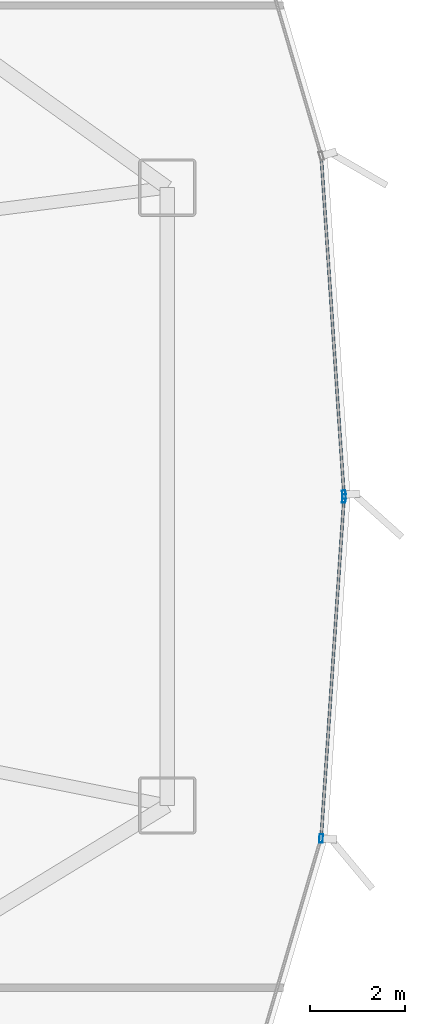
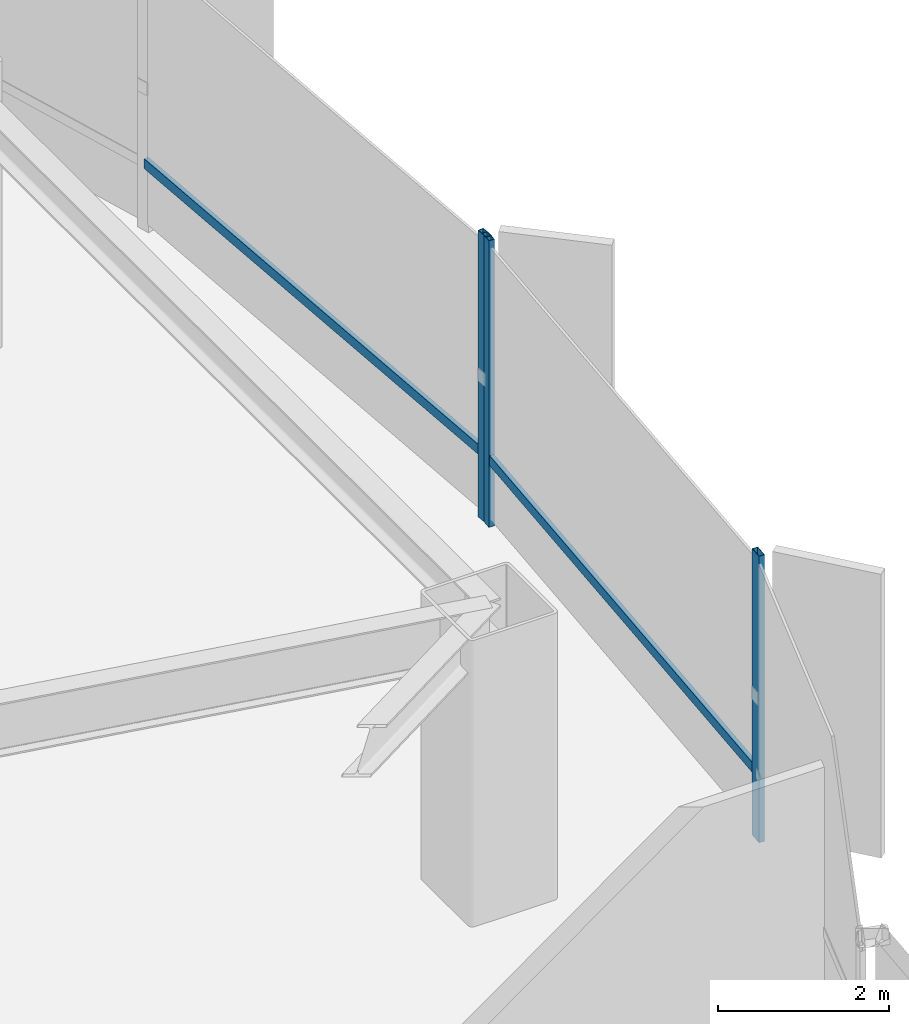
# One storey, part 19 of 34: 5 members, 2 elements without a shape of their own.
"""IFC4 building model written with IfcOpenShell, lengths in metres."""

from ifc_helpers import new_model, si_unit, direction, frame, origin, origin_2d, place, context, subcontext, project, spatial, hollow_rectangle, extrude, source, transform, mapped, material, layer, layer_set, material_profile, profile_set, type_object, element, aggregate, save


model = new_model("IFC4")

# Units and contexts
model_context = context("Model", 3, precision=1e-05, world=origin(), true_north=direction((0.0, 1.0)))
body_context = subcontext(model_context, "Body", "Model", "MODEL_VIEW")
ifc_project = project(units=[si_unit("LENGTHUNIT", "METRE"), si_unit("AREAUNIT", "SQUARE_METRE"), si_unit("VOLUMEUNIT", "CUBIC_METRE"), si_unit("PLANEANGLEUNIT", "RADIAN"), si_unit("MASSUNIT", "GRAM", prefix="KILO"), si_unit("THERMODYNAMICTEMPERATUREUNIT", "KELVIN")], contexts=[model_context])

# Site, building, storey
site_placement = place(None, origin())
site = spatial("IfcSite", under=ifc_project, at=site_placement, CompositionType="ELEMENT")
building_placement = place(site_placement, origin())
building = spatial("IfcBuilding", under=site, at=building_placement, Name="Kethvar Cultural Tower", CompositionType="ELEMENT")
storey_placement = place(building_placement, frame((0.0, 0.0, 19.60009765625)))
storey = spatial("IfcBuildingStorey", under=building, at=storey_placement, Name="L04", CompositionType="ELEMENT", Elevation=19.60009765625)

# Curtain wall, member
ifc_material = material(Name="Aluminium 6063-T6", Category="aluminium")
ifc_layer = layer(ifc_material, 0.179931640625, Name="Aluminium 6063-T6", Category="aluminium")
ifc_layer_set = layer_set([ifc_layer], Name="Aluminium 6063-T6 (180 mm)")
curtain_wall_type = type_object("IfcCurtainWallType", Name="CW-SYS-01-POD", PredefinedType="NOTDEFINED", material=ifc_layer_set)
curtain_wall_1_placement = place(storey_placement, origin())
curtain_wall_1 = element("IfcCurtainWall", 1, at=curtain_wall_1_placement, inside=storey, type_object=curtain_wall_type, Name="L04 Curtain Wall Run 01", PredefinedType="NOTDEFINED")
ifc_material_profile_1 = material_profile(ifc_material, hollow_rectangle(XDim=0.06005859375, YDim=0.139892578125, WallThickness=0.0048828125, at=origin_2d()), Name="Aluminium 6063-T6 — RHS140x60x5")
ifc_profile_set_1 = profile_set([ifc_material_profile_1], Name="Aluminium 6063-T6 — RHS140x60x5")
member_type_1 = type_object("IfcMemberType", Name="CW-SYS-01-POD-TRN", PredefinedType="USERDEFINED", material=ifc_profile_set_1)
shared_shape_1 = source(origin(), body_context, "Body", "SweptSolid", [
    extrude(hollow_rectangle(XDim=0.06005859375, YDim=0.139892578125, WallThickness=0.0048828125, at=origin_2d()), origin(), (0.0, 0.0, 1.0), 7.086669921875),
])
member_1_placement = place(storey_placement, frame((83.066650390625, 27.84521484375, 0.949951171875), z_axis=(-0.067040329347, 0.99775026647, 0.0), x_axis=(-0.99775026647, -0.067040329347, 0.0)))
member_1 = element("IfcMember", 2, at=member_1_placement, type_object=member_type_1, Name="CW-L04-R01 Transom 1", ObjectType="TRANSOM", PredefinedType="USERDEFINED", context=body_context, shape_type="MappedRepresentation", body=[
    mapped(shared_shape_1, transform((0.0, 0.0, 0.0), scale=1.0)),
])

curtain_wall_2_placement = place(storey_placement, origin())
curtain_wall_2 = element("IfcCurtainWall", 3, at=curtain_wall_2_placement, inside=storey, type_object=curtain_wall_type, Name="L04 Curtain Wall Run 06", PredefinedType="NOTDEFINED")
member_2_placement = place(storey_placement, frame((82.591552734375, 20.68408203125, 0.949951171875), z_axis=(0.067040329347, 0.99775026647, 0.0), x_axis=(-0.99775026647, 0.067040329347, 0.0)))
member_2 = element("IfcMember", 4, at=member_2_placement, type_object=member_type_1, Name="CW-L04-R06 Transom 4", ObjectType="TRANSOM", PredefinedType="USERDEFINED", context=body_context, shape_type="MappedRepresentation", body=[
    mapped(shared_shape_1, transform((0.0, 0.0, 0.0), scale=1.0)),
])

# Member
ifc_material_profile_2 = material_profile(ifc_material, hollow_rectangle(XDim=0.074951171875, YDim=0.179931640625, WallThickness=0.006103515625, at=origin_2d()), Name="Aluminium 6063-T6 — RHS180x75x6")
ifc_profile_set_2 = profile_set([ifc_material_profile_2], Name="Aluminium 6063-T6 — RHS180x75x6")
member_type_2 = type_object("IfcMemberType", Name="CW-SYS-01-POD-MUL", PredefinedType="MULLION", material=ifc_profile_set_2)
shared_shape_2 = source(origin(), body_context, "Body", "SweptSolid", [
    extrude(hollow_rectangle(XDim=0.074951171875, YDim=0.179931640625, WallThickness=0.006103515625, at=origin_2d()), origin(), (0.0, 0.0, 1.0), 4.079833984375),
])
member_3_placement = place(storey_placement, frame((83.06689453125, 27.83984375, 0.0), z_axis=(0.0, 0.0, 1.0), x_axis=(-0.997750279374, -0.067040137302, 0.0)))
member_3 = element("IfcMember", 5, at=member_3_placement, type_object=member_type_2, Name="CW-L04-R01 Mullion 1", PredefinedType="MULLION", context=body_context, shape_type="MappedRepresentation", body=[
    mapped(shared_shape_2, transform((0.0, 0.0, 0.0), scale=1.0)),
])

aggregate(curtain_wall_1, [member_3, member_1])

member_4_placement = place(storey_placement, frame((82.587890625, 20.630126953125, 0.0), z_axis=(0.0, 0.0, 1.0), x_axis=(-0.997750279374, 0.067040137302, 0.0)))
member_4 = element("IfcMember", 6, at=member_4_placement, type_object=member_type_2, Name="CW-L04-R06 Mullion 4", PredefinedType="MULLION", context=body_context, shape_type="MappedRepresentation", body=[
    mapped(shared_shape_2, transform((0.0, 0.0, 0.0), scale=1.0)),
])

member_5_placement = place(storey_placement, frame((83.06689453125, 27.760009765625, 0.0), z_axis=(0.0, 0.0, 1.0), x_axis=(-0.997750279374, 0.067040137302, 0.0)))
member_5 = element("IfcMember", 7, at=member_5_placement, type_object=member_type_2, Name="CW-L04-R06 Mullion 5", PredefinedType="MULLION", context=body_context, shape_type="MappedRepresentation", body=[
    mapped(shared_shape_2, transform((0.0, 0.0, 0.0), scale=1.0)),
])

aggregate(curtain_wall_2, [member_4, member_5, member_2])

save(model, "model.ifc")
